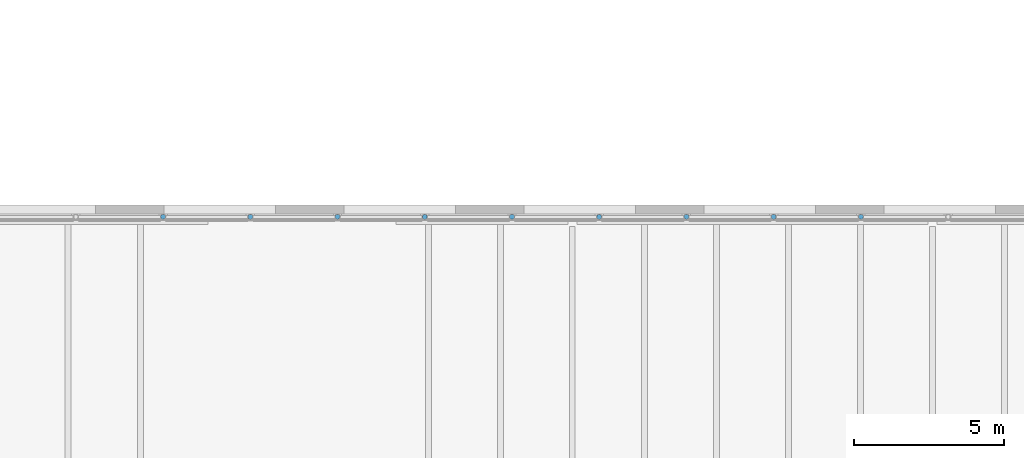
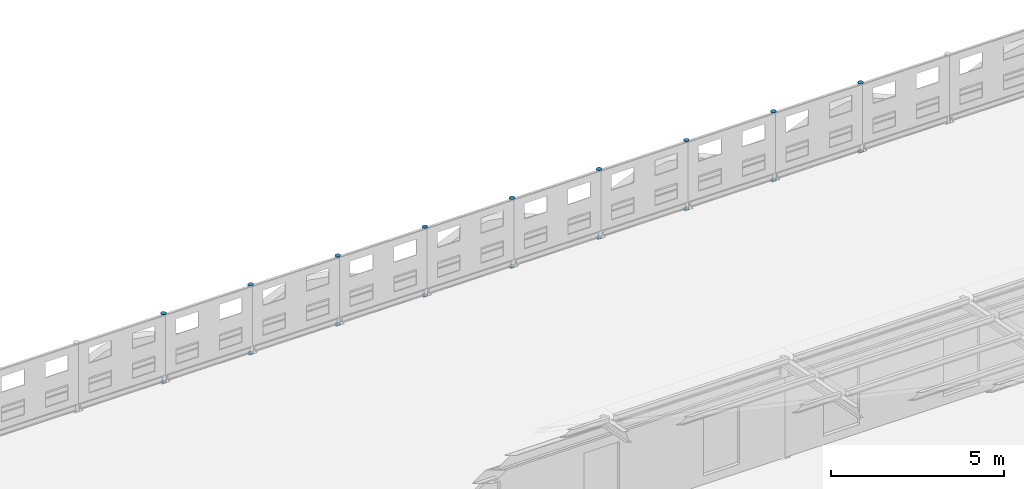
# One storey, part 79 of 91: 18 discrete accessories.
"""IFC4 building model written with IfcOpenShell, lengths in metres."""

import ifcopenshell
import ifcopenshell.guid

model = None  # the IFC model being written
_history = None  # IfcOwnerHistory: only IFC2X3 demands one
_inside = {}  # id of a spatial element -> (the spatial element, [elements in it])
_under = {}  # id of a project, library or spatial element -> (it, [spatial elements below it])
_declared = {}  # id of a project -> (the project, [libraries it declares])
_typed = {}  # id of a type object -> (the type object, [elements of that type])
_made_of = {}  # id of a material, layer set ... -> (it, [elements and type objects made of it])


def new_model(schema):
    """Start an empty IFC model of exactly this schema.

    Asked for "IFC4X3", IfcOpenShell would pick the latest addendum, in which some entities
    have other attributes; the version numbers below select the first issue.
    IFC2X3 requires an IfcOwnerHistory on every rooted entity: one is made here for all.
    """
    global model, _history
    if schema == "IFC4X3":
        model = ifcopenshell.file(schema_version=(4, 3, 0, 0))
    else:
        model = ifcopenshell.file(schema=schema)
    _inside.clear()
    _under.clear()
    _declared.clear()
    _typed.clear()
    _made_of.clear()
    _history = None
    if model.schema == "IFC2X3":
        org = make("IfcOrganization", Name="unknown")
        user = make(
            "IfcPersonAndOrganization",
            ThePerson=make("IfcPerson", FamilyName="unknown"),
            TheOrganization=org,
        )
        app = make(
            "IfcApplication",
            ApplicationDeveloper=org,
            Version="unknown",
            ApplicationFullName="unknown",
            ApplicationIdentifier="unknown",
        )
        _history = make(
            "IfcOwnerHistory",
            OwningUser=user,
            OwningApplication=app,
            ChangeAction="ADDED",
            CreationDate=0,
        )
    return model


def make(cls, **values):
    """One entity of the class cls with the attributes given. An attribute that is None is left unset."""
    return model.create_entity(
        cls, **{name: value for name, value in values.items() if value is not None}
    )


def rooted(cls, **values):
    """An entity with a GlobalId (a new one), such as an element, a storey or a relation."""
    return make(cls, GlobalId=ifcopenshell.guid.new(), OwnerHistory=_history, **values)


def si_unit(unit_type, name, prefix=None):
    """IfcSIUnit, for example si_unit("LENGTHUNIT", "METRE", prefix="MILLI")."""
    return make("IfcSIUnit", UnitType=unit_type, Prefix=prefix, Name=name)


def assignment(units):
    """IfcUnitAssignment: the units of a project."""
    return None if units is None else make("IfcUnitAssignment", Units=units)


def point(xyz):
    """IfcCartesianPoint."""
    return None if xyz is None else make("IfcCartesianPoint", Coordinates=xyz)


def direction(xyz):
    """IfcDirection."""
    return None if xyz is None else make("IfcDirection", DirectionRatios=xyz)


def frame(location, z_axis=None, x_axis=None):
    """IfcAxis2Placement3D, a coordinate frame: its origin and axes. An axis left out is left unset."""
    return make(
        "IfcAxis2Placement3D",
        Location=point(location),
        Axis=direction(z_axis),
        RefDirection=direction(x_axis),
    )


def frame_2d(location, x_axis=None):
    """IfcAxis2Placement2D, a coordinate frame in the plane: its origin and x axis."""
    return make(
        "IfcAxis2Placement2D", Location=point(location), RefDirection=direction(x_axis)
    )


def origin():
    """The frame at (0, 0, 0) with its axes left unset."""
    return frame((0.0, 0.0, 0.0))


def origin_2d():
    """The frame at (0, 0) in the plane with its x axis left unset."""
    return frame_2d((0.0, 0.0))


def place(relative_to, where):
    """IfcLocalPlacement: puts the frame where relative to a parent placement (None: the world)."""
    return make(
        "IfcLocalPlacement", PlacementRelTo=relative_to, RelativePlacement=where
    )


def context(
    kind, dimensions, precision=None, world=None, true_north=None, identifier=None
):
    """IfcGeometricRepresentationContext, for example the 3D "Model" context."""
    return make(
        "IfcGeometricRepresentationContext",
        ContextIdentifier=identifier,
        ContextType=kind,
        CoordinateSpaceDimension=dimensions,
        Precision=precision,
        WorldCoordinateSystem=world,
        TrueNorth=true_north,
    )


def subcontext(parent, identifier, kind, view, scale=None):
    """IfcGeometricRepresentationSubContext, for example "Body" below "Model"."""
    return make(
        "IfcGeometricRepresentationSubContext",
        ContextIdentifier=identifier,
        ContextType=kind,
        ParentContext=parent,
        TargetScale=scale,
        TargetView=view,
    )


def project(units=None, contexts=None):
    """IfcProject with its units and contexts."""
    return rooted(
        "IfcProject",
        Name="project",
        RepresentationContexts=contexts,
        UnitsInContext=assignment(units),
    )


def spatial(cls, under=None, at=None, **own):
    """A site, building, storey or space (cls), placed at a placement, below another one or the project."""
    s = rooted(cls, ObjectPlacement=at, **own)
    if under is not None:
        _under.setdefault(under.id(), (under, []))[1].append(s)
    return s


def profile(cls, at=None, kind="AREA", **sizes):
    """A parametric profile (cls). Its sizes go by their IFC names, for example OverallWidth=200.0."""
    return make(cls, ProfileType=kind, Position=at, **sizes)


def circle(**sizes):
    """IfcCircleProfileDef."""
    return profile("IfcCircleProfileDef", **sizes)


def extrude(swept, where, along, depth):
    """IfcExtrudedAreaSolid: the profile swept, set in the frame where, extruded along a direction by depth."""
    return make(
        "IfcExtrudedAreaSolid",
        SweptArea=swept,
        Position=where,
        ExtrudedDirection=direction(along),
        Depth=depth,
    )


def shape(context_of_items, identifier, shape_type, items):
    """IfcShapeRepresentation: the items that make up one representation, for example the "Body"."""
    return make(
        "IfcShapeRepresentation",
        ContextOfItems=context_of_items,
        RepresentationIdentifier=identifier,
        RepresentationType=shape_type,
        Items=items,
    )


def material(Name=None, Category=None):
    """IfcMaterial."""
    return make("IfcMaterial", Name=Name, Category=Category)


def material_profile(
    of_material, cross_section, Name=None, Category=None, Priority=None
):
    """IfcMaterialProfile: a cross section and its material."""
    return make(
        "IfcMaterialProfile",
        Name=Name,
        Material=of_material,
        Profile=cross_section,
        Priority=Priority,
        Category=Category,
    )


def profile_set(profiles, Name=None, composite=None):
    """IfcMaterialProfileSet."""
    return make(
        "IfcMaterialProfileSet",
        Name=Name,
        MaterialProfiles=profiles,
        CompositeProfile=composite,
    )


def made_of(thing, what):
    """Note that an element or type object is made of a material, layer set ...; save() writes the relation."""
    if what is not None:
        _made_of.setdefault(what.id(), (what, []))[1].append(thing)
    return thing


def type_object(cls, material=None, **own):
    """A type object (cls), such as IfcWallType, which elements share."""
    return made_of(rooted(cls, **own), material)


def element(
    cls,
    number,
    at=None,
    inside=None,
    cuts=None,
    type_object=None,
    material=None,
    context=None,
    identifier="Body",
    shape_type=None,
    held_by="IfcProductDefinitionShape",
    body=None,
    shapes=None,
    **own,
):
    """One element of the class cls, such as IfcWall. Its Tag is "e" and its number.

    at: its placement. inside: the storey or other place that contains it. cuts: it is an
    opening in that element (IfcRelVoidsElement). A single representation is given by context,
    identifier, shape_type and body (its items); several are given by shapes. held_by: the class
    of the entity that holds the representations. save() writes the other relations.
    """
    e = rooted(cls, Tag="e%d" % number, ObjectPlacement=at, **own)
    if body is not None:
        shapes = [shape(context, identifier, shape_type, body)]
    if shapes is not None:
        e.Representation = make(held_by, Representations=shapes)
    if inside is not None:
        _inside.setdefault(inside.id(), (inside, []))[1].append(e)
    if cuts is not None:
        rooted(
            "IfcRelVoidsElement", RelatingBuildingElement=cuts, RelatedOpeningElement=e
        )
    if type_object is not None:
        _typed.setdefault(type_object.id(), (type_object, []))[1].append(e)
    return made_of(e, material)


def aggregate(whole, parts):
    """IfcRelAggregates: a whole, such as a stair, and the parts it consists of."""
    return rooted("IfcRelAggregates", RelatingObject=whole, RelatedObjects=parts)


def save(model, path):
    """Write the relations noted so far, then the file.

    IfcRelAggregates (storeys below a building ...), IfcRelContainedInSpatialStructure (elements
    in a storey), IfcRelDefinesByType, IfcRelAssociatesMaterial and IfcRelDeclares: one each for
    every whole, place, type object, material and project.
    """
    for whole, parts in _under.values():
        aggregate(whole, parts)
    for where, things in _inside.values():
        rooted(
            "IfcRelContainedInSpatialStructure",
            RelatedElements=things,
            RelatingStructure=where,
        )
    for kind, things in _typed.values():
        rooted("IfcRelDefinesByType", RelatedObjects=things, RelatingType=kind)
    for what, things in _made_of.values():
        rooted("IfcRelAssociatesMaterial", RelatedObjects=things, RelatingMaterial=what)
    for by, libraries in _declared.values():
        rooted("IfcRelDeclares", RelatingContext=by, RelatedDefinitions=libraries)
    model.write(path)


model = new_model("IFC4")

# Units and contexts
model_context = context("Model", 3, precision=1e-05, world=origin(), true_north=direction((0.0, 1.0)))
body_context = subcontext(model_context, "Body", "Model", "MODEL_VIEW")
ifc_project = project(units=[si_unit("LENGTHUNIT", "METRE"), si_unit("AREAUNIT", "SQUARE_METRE"), si_unit("VOLUMEUNIT", "CUBIC_METRE"), si_unit("PLANEANGLEUNIT", "RADIAN"), si_unit("MASSUNIT", "GRAM", prefix="KILO")], contexts=[model_context])

# Site, building, storey
site_placement = place(None, origin())
site = spatial("IfcSite", under=ifc_project, at=site_placement, CompositionType="ELEMENT")
building_placement = place(site_placement, origin())
building = spatial("IfcBuilding", under=site, at=building_placement, Name="Ravi Spectrum Wholesale Market", CompositionType="ELEMENT")
storey_placement = place(building_placement, frame((0.0, 0.0, 16.199951171875)))
storey = spatial("IfcBuildingStorey", under=building, at=storey_placement, Name="ROOF PLANT LEVEL", CompositionType="ELEMENT", Elevation=16.199951171875)

# Discrete accessories
ifc_material = material(Name="Steel S355", Category="steel")
ifc_material_profile = material_profile(ifc_material, circle(Radius=0.084228515625, at=origin_2d()))
ifc_profile_set = profile_set([ifc_material_profile], Name="Steel S355")
discrete_accessory_type = type_object("IfcDiscreteAccessoryType", Name="End plate CHS 168.3x6.3", PredefinedType="BRACKET", material=ifc_profile_set)
for number, where, z_axis, x_axis, name in (
    (1, (267.615478515625, 66.14990234375, 0.0), (0.0, 0.0, -1.0), (1.0, 0.0, 0.0), "End plate"),
    (2, (267.615478515625, 66.14990234375, 2.400146484375), (0.0, 0.0, 1.0), (1.0, 0.0, 0.0), "End plate"),
    (3, (264.708740234375, 66.14990234375, 0.0), (0.0, 0.0, -1.0), (1.0, 0.0, 0.0), "End plate"),
    (4, (264.708740234375, 66.14990234375, 2.400146484375), (0.0, 0.0, 1.0), (1.0, 0.0, 0.0), "End plate"),
    (5, (261.8017578125, 66.14990234375, 0.0), (0.0, 0.0, -1.0), (1.0, 0.0, 0.0), "End plate"),
    (6, (261.8017578125, 66.14990234375, 2.400146484375), (0.0, 0.0, 1.0), (1.0, 0.0, 0.0), "End plate"),
    (7, (258.894775390625, 66.14990234375, 0.0), (0.0, 0.0, -1.0), (1.0, 0.0, 0.0), "End plate"),
    (8, (258.894775390625, 66.14990234375, 2.400146484375), (0.0, 0.0, 1.0), (1.0, 0.0, 0.0), "End plate"),
    (9, (255.988037109375, 66.14990234375, 0.0), (0.0, 0.0, -1.0), (1.0, 0.0, 0.0), "End plate"),
    (10, (255.988037109375, 66.14990234375, 2.400146484375), (0.0, 0.0, 1.0), (1.0, 0.0, 0.0), "End plate"),
    (11, (253.0810546875, 66.14990234375, 0.0), (0.0, 0.0, -1.0), (1.0, 0.0, 0.0), "End plate"),
    (12, (253.0810546875, 66.14990234375, 2.400146484375), (0.0, 0.0, 1.0), (1.0, 0.0, 0.0), "End plate"),
    (13, (250.174072265625, 66.14990234375, 0.0), (0.0, 0.0, -1.0), (1.0, 0.0, 0.0), "End plate"),
    (14, (250.174072265625, 66.14990234375, 2.400146484375), (0.0, 0.0, 1.0), (1.0, 0.0, 0.0), "End plate"),
    (15, (247.267333984375, 66.14990234375, 0.0), (0.0, 0.0, -1.0), (1.0, 0.0, 0.0), "End plate"),
    (16, (247.267333984375, 66.14990234375, 2.400146484375), (0.0, 0.0, 1.0), (1.0, 0.0, 0.0), "End plate"),
    (17, (244.3603515625, 66.14990234375, 0.0), (0.0, 0.0, -1.0), (1.0, 0.0, 0.0), "End plate"),
    (18, (244.3603515625, 66.14990234375, 2.400146484375), (0.0, 0.0, 1.0), (1.0, 0.0, 0.0), "End plate"),
):
    element("IfcDiscreteAccessory", number, at=place(storey_placement, frame(where, z_axis=z_axis, x_axis=x_axis)), inside=storey, type_object=discrete_accessory_type, Name=name, PredefinedType="BRACKET", context=body_context, shape_type="SweptSolid", body=[
        extrude(circle(Radius=0.084228515625, at=origin_2d()), origin(), (0.0, 0.0, 1.0), 0.011962890625),
    ])

save(model, "model.ifc")
